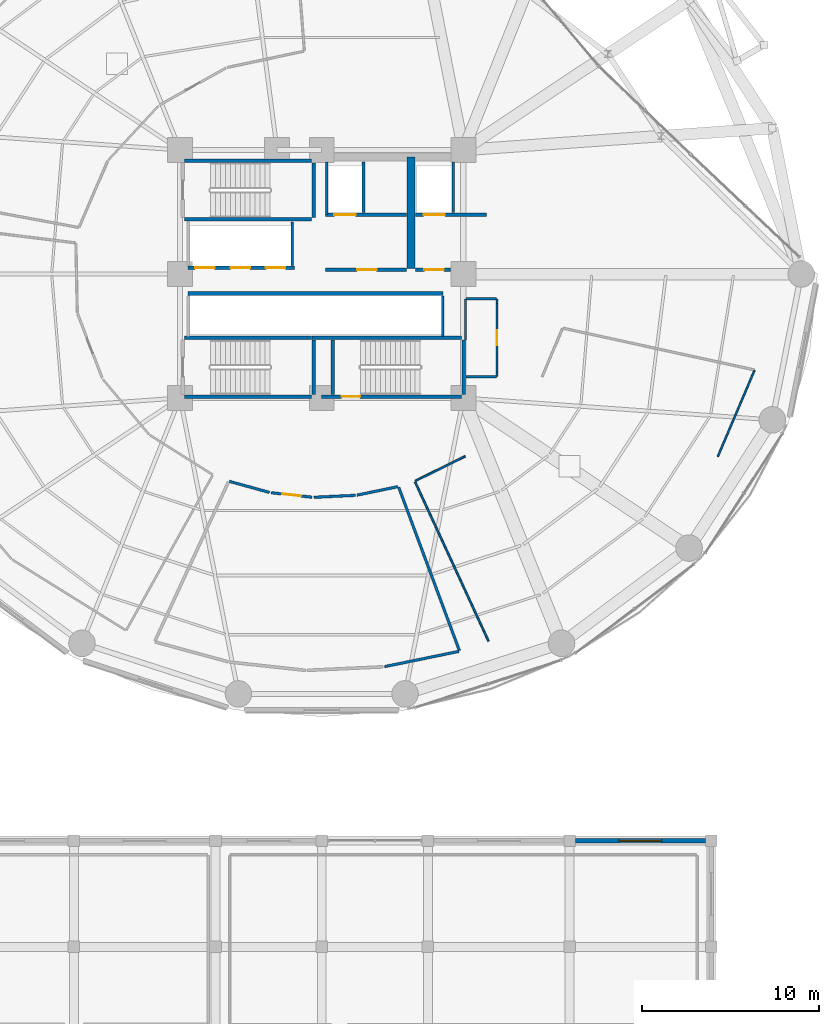
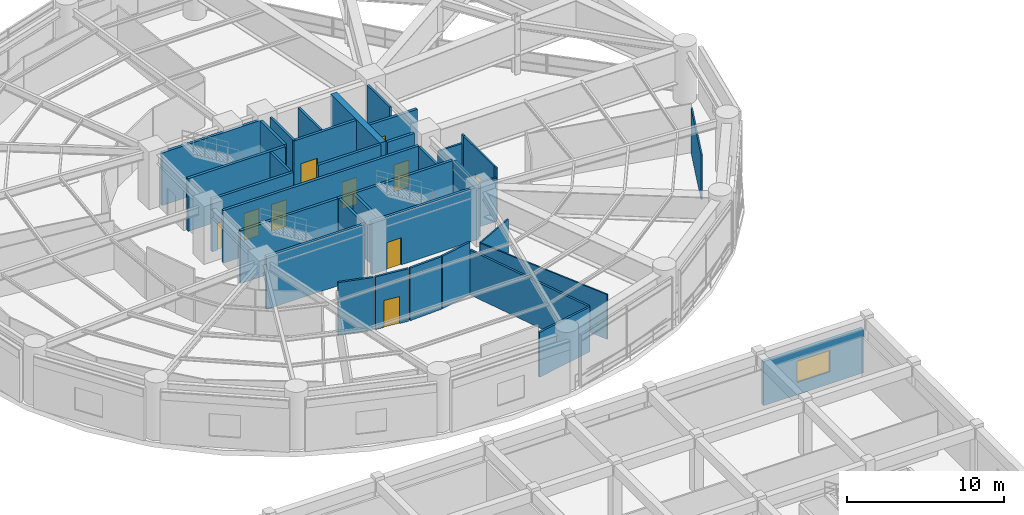
# One storey, part 42 of 52: 38 walls, 10 doors, 1 window, 11 openings.
"""IFC4 building model written with IfcOpenShell, lengths in metres."""

from ifc_helpers import new_model, si_unit, direction, frame, frame_2d, origin, place, context, subcontext, project, spatial, rectangle, extrude, material, layer, layer_set, type_object, element, fill, save


model = new_model("IFC4")

# Units and contexts
model_context = context("Model", 3, precision=1e-05, world=origin(), true_north=direction((0.0, 1.0)))
body_context = subcontext(model_context, "Body", "Model", "MODEL_VIEW")
ifc_project = project(units=[si_unit("LENGTHUNIT", "METRE"), si_unit("AREAUNIT", "SQUARE_METRE"), si_unit("VOLUMEUNIT", "CUBIC_METRE"), si_unit("PLANEANGLEUNIT", "RADIAN"), si_unit("MASSUNIT", "GRAM", prefix="KILO")], contexts=[model_context])

# Site, building, storey
site_placement = place(None, origin())
site = spatial("IfcSite", under=ifc_project, at=site_placement, CompositionType="ELEMENT")
building_placement = place(site_placement, origin())
building = spatial("IfcBuilding", under=site, at=building_placement, Name="Kelanora Arch Commons", CompositionType="ELEMENT")
storey_placement = place(building_placement, frame((0.0, 0.0, 13.5)))
storey = spatial("IfcBuildingStorey", under=building, at=storey_placement, Name="L03", CompositionType="ELEMENT", Elevation=13.5)

# Walls
ifc_material_1 = material(Name="Autoclaved aerated concrete blockwork with fire plaster", Category="masonry")
ifc_layer_1 = layer(ifc_material_1, 0.14990234375)
ifc_layer_set_1 = layer_set([ifc_layer_1], Name="Autoclaved aerated concrete blockwork with fire plaster")
wall_type_1 = type_object("IfcWallType", Name="W-COMP-150", PredefinedType="PARTITIONING", material=ifc_layer_set_1)
wall_1_placement = place(storey_placement, frame((74.280029296875, 61.35009765625, 0.0), z_axis=(0.0, 0.0, 1.0), x_axis=(0.0, 1.0, 0.0)))
element("IfcWall", 1, at=wall_1_placement, inside=storey, type_object=wall_type_1, Name="Firefighting Lift 1 West Shaft Wall L03", PredefinedType="PARTITIONING", context=body_context, shape_type="SweptSolid", body=[
    extrude(rectangle(XDim=2.969970703125, YDim=0.14990234375, at=frame_2d((1.48486328125, 0.0))), origin(), (0.0, 0.0, 1.0), 4.090087890625),
])
for number, where, z_axis, x_axis, name in (
    (2, (76.360107421875, 61.47998046875, 0.0), (0.0, 0.0, 1.0), (0.0, 1.0, 0.0), "Firefighting Lift 1 East Shaft Wall L03"),
    (3, (81.419921875, 61.47998046875, 0.0), (0.0, 0.0, 1.0), (0.0, 1.0, 0.0), "Firefighting Lift 2 East Shaft Wall L03"),
):
    element("IfcWall", number, at=place(storey_placement, frame(where, z_axis=z_axis, x_axis=x_axis)), inside=storey, type_object=wall_type_1, Name=name, PredefinedType="PARTITIONING", context=body_context, shape_type="SweptSolid", body=[
        extrude(rectangle(XDim=2.840087890625, YDim=0.14990234375, at=frame_2d((1.419921875, 0.0))), origin(), (0.0, 0.0, 1.0), 4.090087890625),
    ])
wall_2_placement = place(storey_placement, frame((72.340087890625, 58.47998046875, 0.0), z_axis=(0.0, 0.0, 1.0), x_axis=(0.0, 1.0, 0.0)))
element("IfcWall", 4, at=wall_2_placement, inside=storey, type_object=wall_type_1, Name="Low-Rise Lift Bank East Wall L03", PredefinedType="PARTITIONING", context=body_context, shape_type="SweptSolid", body=[
    extrude(rectangle(XDim=2.4599609375, YDim=0.14990234375, at=frame_2d((1.22998046875, 0.0))), origin(), (0.0, 0.0, 1.0), 4.090087890625),
])
wall_3_placement = place(storey_placement, frame((80.840087890625, 54.47998046875, 0.0), z_axis=(0.0, 0.0, 1.0), x_axis=(0.0, 1.0, 0.0)))
element("IfcWall", 5, at=wall_3_placement, inside=storey, type_object=wall_type_1, Name="South Lift Bank East Wall L03", PredefinedType="PARTITIONING", context=body_context, shape_type="SweptSolid", body=[
    extrude(rectangle(XDim=2.2900390625, YDim=0.14990234375, at=frame_2d((1.14501953125, 0.0))), origin(), (0.0, 0.0, 1.0), 4.090087890625),
])

# Wall, opening, door
wall_4_placement = place(storey_placement, frame((71.14453125, 45.6494140625, 0.0), z_axis=(0.0, 0.0, 1.0), x_axis=(0.993951535734, -0.109819600308, 0.0)))
wall_4 = element("IfcWall", 6, at=wall_4_placement, inside=storey, type_object=wall_type_1, Name="Podium Catering Cold Store and Linen Room L03 Entry Partition", PredefinedType="PARTITIONING", context=body_context, shape_type="SweptSolid", body=[
    extrude(rectangle(XDim=2.32080078125, YDim=0.14990234375, at=frame_2d((1.160400390625, 0.0))), origin(), (0.0, 0.0, 1.0), 4.090087890625),
])
opening_1_placement = place(wall_4_placement, frame((0.6201171875, 0.0, 0.0)))
opening_1 = element("IfcOpeningElement", 7, at=opening_1_placement, cuts=wall_4, Name="Opening D-PLT1", PredefinedType="OPENING", context=body_context, shape_type="SweptSolid", body=[
    extrude(rectangle(XDim=1.080078125, YDim=2.10009765625, at=frame_2d((0.5400390625, 1.050048828125))), frame((0.0, 0.0849609375, 0.0), z_axis=(0.0, -1.0, 0.0), x_axis=(1.0, 0.0, 0.0)), (0.0, 0.0, 1.0), 0.169921875),
])
ifc_material_2 = material(Name="Galvanised steel plant and riser fire door", Category="steel")
door_type_1 = type_object("IfcDoorType", Name="D-PLT-110", OperationType="NOTDEFINED", PredefinedType="DOOR", material=ifc_material_2)
door_1_placement = place(opening_1_placement, origin())
door_1 = element("IfcDoor", 8, at=door_1_placement, inside=storey, type_object=door_type_1, Name="Podium Catering Cold Store and Linen Room L03 Door", OperationType="SINGLE_SWING_RIGHT", OverallHeight=2.10009765625, OverallWidth=1.080078125, PredefinedType="DOOR", context=body_context, shape_type="SweptSolid", body=[
    extrude(rectangle(XDim=1.080078125, YDim=2.10009765625, at=frame_2d((0.5400390625, 1.050048828125))), frame((0.0, 0.02490234375, 0.0), z_axis=(0.0, -1.0, 0.0), x_axis=(1.0, 0.0, 0.0)), (0.0, 0.0, 1.0), 0.050048828125),
])
fill(opening_1, door_1)

# Walls
wall_5_placement = place(storey_placement, frame((68.78662109375, 46.288330078125, 0.0), z_axis=(0.0, 0.0, 1.0), x_axis=(0.964162769641, -0.265311427644, 0.0)))
element("IfcWall", 9, at=wall_5_placement, inside=storey, type_object=wall_type_1, Name="Podium Catering Cold Store and Linen Room L03 Enclosure Partition 1", PredefinedType="PARTITIONING", context=body_context, shape_type="SweptSolid", body=[
    extrude(rectangle(XDim=2.34375, YDim=0.14990234375, at=frame_2d((1.171875, 0.0))), origin(), (0.0, 0.0, 1.0), 4.090087890625),
])
wall_6_placement = place(storey_placement, frame((73.551025390625, 45.389892578125, 0.0), z_axis=(0.0, 0.0, 1.0), x_axis=(0.998889082162, 0.047123258997, 0.0)))
element("IfcWall", 10, at=wall_6_placement, inside=storey, type_object=wall_type_1, Name="Podium Catering Cold Store and Linen Room L03 Enclosure Partition 3", PredefinedType="PARTITIONING", context=body_context, shape_type="SweptSolid", body=[
    extrude(rectangle(XDim=2.362548828125, YDim=0.14990234375, at=frame_2d((1.18115234375, 0.0))), origin(), (0.0, 0.0, 1.0), 4.090087890625),
])
wall_7_placement = place(storey_placement, frame((75.990234375, 45.510986328125, 0.0), z_axis=(0.0, 0.0, 1.0), x_axis=(0.979038244843, 0.203676496276, 0.0)))
element("IfcWall", 11, at=wall_7_placement, inside=storey, type_object=wall_type_1, Name="Podium Catering Cold Store and Linen Room L03 Enclosure Partition 4", PredefinedType="PARTITIONING", context=body_context, shape_type="SweptSolid", body=[
    extrude(rectangle(XDim=2.351806640625, YDim=0.14990234375, at=frame_2d((1.17578125, 0.0))), origin(), (0.0, 0.0, 1.0), 4.090087890625),
])
wall_8_placement = place(storey_placement, frame((78.345947265625, 45.96044921875, 0.0), z_axis=(0.0, 0.0, 1.0), x_axis=(0.34819151165, -0.93742342152, 0.0)))
element("IfcWall", 12, at=wall_8_placement, inside=storey, type_object=wall_type_1, Name="Podium Catering Cold Store and Linen Room L03 Enclosure Partition 5", PredefinedType="PARTITIONING", context=body_context, shape_type="SweptSolid", body=[
    extrude(rectangle(XDim=9.843017578125, YDim=0.14990234375, at=frame_2d((4.92138671875, 0.0))), origin(), (0.0, 0.0, 1.0), 3.485107421875),
])
wall_9_placement = place(storey_placement, frame((81.747802734375, 36.68798828125, 0.0), z_axis=(0.0, 0.0, 1.0), x_axis=(-0.979594368282, -0.200984759698, 0.0)))
element("IfcWall", 13, at=wall_9_placement, inside=storey, type_object=wall_type_1, Name="Podium Catering Cold Store and Linen Room L03 Enclosure Partition 6", PredefinedType="PARTITIONING", context=body_context, shape_type="SweptSolid", body=[
    extrude(rectangle(XDim=4.2890625, YDim=0.14990234375, at=frame_2d((2.14453125, 0.0))), origin(), (0.0, 0.0, 1.0), 3.485107421875),
])
ifc_material_3 = material(Name="Concrete C60/75", Category="concrete")
ifc_layer_2 = layer(ifc_material_3, 0.449951171875)
ifc_layer_set_2 = layer_set([ifc_layer_2], Name="Concrete C60/75")
wall_type_2 = type_object("IfcWallType", Name="W-CORE-450", PredefinedType="SHEAR", material=ifc_layer_set_2)
wall_10_placement = place(storey_placement, frame((79.050048828125, 58.300048828125, 0.0), z_axis=(0.0, 0.0, 1.0), x_axis=(0.0, 1.0, 0.0)))
element("IfcWall", 14, at=wall_10_placement, inside=storey, type_object=wall_type_2, Name="Core Shear Spine L03-CE-N", PredefinedType="SHEAR", context=body_context, shape_type="SweptSolid", body=[
    extrude(rectangle(XDim=6.300048828125, YDim=0.449951171875, at=frame_2d((3.14990234375, 0.0))), origin(), (0.0, 0.0, 1.0), 4.10009765625),
])

# Wall, opening, window
ifc_material_4 = material(Name="Precast concrete C40/50 with terracotta ceramic cladding", Category="masonry")
ifc_layer_3 = layer(ifc_material_4, 0.25)
ifc_layer_set_3 = layer_set([ifc_layer_3], Name="Precast concrete C40/50 with terracotta ceramic cladding")
wall_type_3 = type_object("IfcWallType", Name="W-EXT-MKT", PredefinedType="SOLIDWALL", material=ifc_layer_set_3)
wall_11_placement = place(storey_placement, frame((95.669921875, 26.0, 0.0), z_axis=(0.0, 0.0, 1.0), x_axis=(-1.0, 0.0, 0.0)))
wall_11 = element("IfcWall", 15, at=wall_11_placement, inside=storey, type_object=wall_type_3, Name="Market Hall Exterior Wall L03-15", PredefinedType="SOLIDWALL", context=body_context, shape_type="SweptSolid", body=[
    extrude(rectangle(XDim=7.33984375, YDim=0.25, at=frame_2d((3.669921875, 0.0))), origin(), (0.0, 0.0, 1.0), 3.419921875),
])
opening_2_placement = place(wall_11_placement, frame((2.469970703125, 0.0, 0.949951171875)))
opening_2 = element("IfcOpeningElement", 16, at=opening_2_placement, cuts=wall_11, Name="Opening WN-03", PredefinedType="OPENING", context=body_context, shape_type="SweptSolid", body=[
    extrude(rectangle(XDim=2.39990234375, YDim=1.64990234375, at=frame_2d((1.199951171875, 0.824951171875))), frame((0.0, 0.135009765625, 0.0), z_axis=(0.0, -1.0, 0.0), x_axis=(1.0, 0.0, 0.0)), (0.0, 0.0, 1.0), 0.27001953125),
])
ifc_material_5 = material(Name="Bronze-terracotta aluminium monsoon clerestory window", Category="masonry")
window_type = type_object("IfcWindowType", Name="WIN-MKT-24", PartitioningType="TRIPLE_PANEL_VERTICAL", PredefinedType="WINDOW", material=ifc_material_5)
window_placement = place(opening_2_placement, origin())
window = element("IfcWindow", 17, at=window_placement, inside=storey, type_object=window_type, Name="Market Hall Clerestory Window L03-15", OverallHeight=1.64990234375, OverallWidth=2.39990234375, PartitioningType="SINGLE_PANEL", PredefinedType="WINDOW", context=body_context, shape_type="SweptSolid", body=[
    extrude(rectangle(XDim=2.39990234375, YDim=1.64990234375, at=frame_2d((1.199951171875, 0.824951171875))), frame((0.0, 0.030029296875, 0.0), z_axis=(0.0, -1.0, 0.0), x_axis=(1.0, 0.0, 0.0)), (0.0, 0.0, 1.0), 0.06005859375),
])
fill(opening_2, window)

# Wall, opening, door
ifc_material_6 = material(Name="Concrete C40/50", Category="concrete")
ifc_layer_4 = layer(ifc_material_6, 0.199951171875)
ifc_layer_set_4 = layer_set([ifc_layer_4], Name="Concrete C40/50")
wall_type_4 = type_object("IfcWallType", Name="W-FFL-200", PredefinedType="SOLIDWALL", material=ifc_layer_set_4)
wall_12_placement = place(storey_placement, frame((74.199951171875, 61.35009765625, 0.0), z_axis=(0.0, 0.0, 1.0), x_axis=(1.0, 0.0, 0.0)))
wall_12 = element("IfcWall", 18, at=wall_12_placement, inside=storey, type_object=wall_type_4, Name="Firefighting Lift 1 Shaft Front L03", PredefinedType="SOLIDWALL", context=body_context, shape_type="SweptSolid", body=[
    extrude(rectangle(XDim=4.60009765625, YDim=0.199951171875, at=frame_2d((2.300048828125, 0.0))), origin(), (0.0, 0.0, 1.0), 4.090087890625),
])
opening_3_placement = place(wall_12_placement, frame((0.52001953125, 0.0, 0.0)))
opening_3 = element("IfcOpeningElement", 19, at=opening_3_placement, cuts=wall_12, Name="Opening LD-FF", PredefinedType="OPENING", context=body_context, shape_type="SweptSolid", body=[
    extrude(rectangle(XDim=1.199951171875, YDim=2.14990234375, at=frame_2d((0.60009765625, 1.074951171875))), frame((0.0, 0.10986328125, 0.0), z_axis=(0.0, -1.0, 0.0), x_axis=(1.0, 0.0, 0.0)), (0.0, 0.0, 1.0), 0.219970703125),
])
ifc_material_7 = material(Name="Fire-rated firefighters lift sliding landing door")
door_type_2 = type_object("IfcDoorType", Name="D-LIFT-FF", OperationType="NOTDEFINED", PredefinedType="DOOR", material=ifc_material_7)
door_2_placement = place(opening_3_placement, origin())
door_2 = element("IfcDoor", 20, at=door_2_placement, inside=storey, type_object=door_type_2, Name="Firefighting Lift LF-FF1 Landing Door L03", OperationType="DOUBLE_DOOR_SLIDING", OverallHeight=2.14990234375, OverallWidth=1.199951171875, PredefinedType="DOOR", context=body_context, shape_type="SweptSolid", body=[
    extrude(rectangle(XDim=1.199951171875, YDim=2.14990234375, at=frame_2d((0.60009765625, 1.074951171875))), frame((0.0, 0.02490234375, 0.0), z_axis=(0.0, -1.0, 0.0), x_axis=(1.0, 0.0, 0.0)), (0.0, 0.0, 1.0), 0.050048828125),
])
fill(opening_3, door_2)

wall_13_placement = place(storey_placement, frame((79.300048828125, 61.35009765625, 0.0), z_axis=(0.0, 0.0, 1.0), x_axis=(1.0, 0.0, 0.0)))
wall_13 = element("IfcWall", 21, at=wall_13_placement, inside=storey, type_object=wall_type_4, Name="Firefighting Lift 2 Shaft Front L03", PredefinedType="SOLIDWALL", context=body_context, shape_type="SweptSolid", body=[
    extrude(rectangle(XDim=4.0, YDim=0.199951171875, at=frame_2d((2.0, 0.0))), origin(), (0.0, 0.0, 1.0), 3.385009765625),
])
opening_4_placement = place(wall_13_placement, frame((0.449951171875, 0.0, 0.0)))
opening_4 = element("IfcOpeningElement", 22, at=opening_4_placement, cuts=wall_13, Name="Opening LD-FF", PredefinedType="OPENING", context=body_context, shape_type="SweptSolid", body=[
    extrude(rectangle(XDim=1.199951171875, YDim=2.14990234375, at=frame_2d((0.60009765625, 1.074951171875))), frame((0.0, 0.10986328125, 0.0), z_axis=(0.0, -1.0, 0.0), x_axis=(1.0, 0.0, 0.0)), (0.0, 0.0, 1.0), 0.219970703125),
])
door_3_placement = place(opening_4_placement, origin())
door_3 = element("IfcDoor", 23, at=door_3_placement, inside=storey, type_object=door_type_2, Name="Firefighting Lift LF-FF2 Landing Door L03", OperationType="DOUBLE_DOOR_SLIDING", OverallHeight=2.14990234375, OverallWidth=1.199951171875, PredefinedType="DOOR", context=body_context, shape_type="SweptSolid", body=[
    extrude(rectangle(XDim=1.199951171875, YDim=2.14990234375, at=frame_2d((0.60009765625, 1.074951171875))), frame((0.0, 0.02490234375, 0.0), z_axis=(0.0, -1.0, 0.0), x_axis=(1.0, 0.0, 0.0)), (0.0, 0.0, 1.0), 0.050048828125),
])
fill(opening_4, door_3)

wall_14_placement = place(storey_placement, frame((74.199951171875, 58.25, 0.0), z_axis=(0.0, 0.0, 1.0), x_axis=(1.0, 0.0, 0.0)))
wall_14 = element("IfcWall", 24, at=wall_14_placement, inside=storey, type_object=wall_type_4, Name="Firefighting Lobby 1 Enclosure Wall L03", PredefinedType="SOLIDWALL", context=body_context, shape_type="SweptSolid", body=[
    extrude(rectangle(XDim=4.60009765625, YDim=0.199951171875, at=frame_2d((2.300048828125, 0.0))), origin(), (0.0, 0.0, 1.0), 4.090087890625),
])
opening_5_placement = place(wall_14_placement, frame((1.800048828125, 0.0, 0.0)))
opening_5 = element("IfcOpeningElement", 25, at=opening_5_placement, cuts=wall_14, Name="Opening D-FFL1", PredefinedType="OPENING", context=body_context, shape_type="SweptSolid", body=[
    extrude(rectangle(XDim=1.10009765625, YDim=2.10009765625, at=frame_2d((0.550048828125, 1.050048828125))), frame((0.0, 0.10986328125, 0.0), z_axis=(0.0, -1.0, 0.0), x_axis=(1.0, 0.0, 0.0)), (0.0, 0.0, 1.0), 0.219970703125),
])
ifc_material_8 = material(Name="Smoke-sealed firefighting lobby fire door")
door_type_3 = type_object("IfcDoorType", Name="D-FFL-110", OperationType="NOTDEFINED", PredefinedType="DOOR", material=ifc_material_8)
door_4_placement = place(opening_5_placement, frame((1.10009765625, 0.0, 0.0), z_axis=(0.0, 0.0, 1.0), x_axis=(-1.0, 0.0, 0.0)))
door_4 = element("IfcDoor", 26, at=door_4_placement, inside=storey, type_object=door_type_3, Name="Firefighting Lobby 1 Door L03", OperationType="SINGLE_SWING_LEFT", OverallHeight=2.10009765625, OverallWidth=1.10009765625, PredefinedType="DOOR", context=body_context, shape_type="SweptSolid", body=[
    extrude(rectangle(XDim=1.10009765625, YDim=2.10009765625, at=frame_2d((0.550048828125, 1.050048828125))), frame((0.0, 0.02490234375, 0.0), z_axis=(0.0, -1.0, 0.0), x_axis=(1.0, 0.0, 0.0)), (0.0, 0.0, 1.0), 0.050048828125),
])
fill(opening_5, door_4)

wall_15_placement = place(storey_placement, frame((79.300048828125, 58.25, 0.0), z_axis=(0.0, 0.0, 1.0), x_axis=(1.0, 0.0, 0.0)))
wall_15 = element("IfcWall", 27, at=wall_15_placement, inside=storey, type_object=wall_type_4, Name="Firefighting Lobby 2 Enclosure Wall L03", PredefinedType="SOLIDWALL", context=body_context, shape_type="SweptSolid", body=[
    extrude(rectangle(XDim=1.97998046875, YDim=0.199951171875, at=frame_2d((0.989990234375, 0.0))), origin(), (0.0, 0.0, 1.0), 4.090087890625),
])
opening_6_placement = place(wall_15_placement, frame((0.5, 0.0, 0.0)))
opening_6 = element("IfcOpeningElement", 28, at=opening_6_placement, cuts=wall_15, Name="Opening D-FFL1", PredefinedType="OPENING", context=body_context, shape_type="SweptSolid", body=[
    extrude(rectangle(XDim=1.10009765625, YDim=2.10009765625, at=frame_2d((0.550048828125, 1.050048828125))), frame((0.0, 0.10986328125, 0.0), z_axis=(0.0, -1.0, 0.0), x_axis=(1.0, 0.0, 0.0)), (0.0, 0.0, 1.0), 0.219970703125),
])
door_5_placement = place(opening_6_placement, frame((1.10009765625, 0.0, 0.0), z_axis=(0.0, 0.0, 1.0), x_axis=(-1.0, 0.0, 0.0)))
door_5 = element("IfcDoor", 29, at=door_5_placement, inside=storey, type_object=door_type_3, Name="Firefighting Lobby 2 Door L03", OperationType="SINGLE_SWING_RIGHT", OverallHeight=2.10009765625, OverallWidth=1.10009765625, PredefinedType="DOOR", context=body_context, shape_type="SweptSolid", body=[
    extrude(rectangle(XDim=1.10009765625, YDim=2.10009765625, at=frame_2d((0.550048828125, 1.050048828125))), frame((0.0, 0.02490234375, 0.0), z_axis=(0.0, -1.0, 0.0), x_axis=(1.0, 0.0, 0.0)), (0.0, 0.0, 1.0), 0.050048828125),
])
fill(opening_6, door_5)

# Wall, openings, doors
wall_16_placement = place(storey_placement, frame((66.449951171875, 58.35009765625, 0.0), z_axis=(0.0, 0.0, 1.0), x_axis=(1.0, 0.0, 0.0)))
wall_16 = element("IfcWall", 30, at=wall_16_placement, inside=storey, type_object=wall_type_4, Name="Low-Rise Passenger Lift Shaft Front L03", PredefinedType="SOLIDWALL", context=body_context, shape_type="SweptSolid", body=[
    extrude(rectangle(XDim=6.0, YDim=0.199951171875, at=frame_2d((3.0, 0.0))), origin(), (0.0, 0.0, 1.0), 4.090087890625),
])
opening_7_placement = place(wall_16_placement, frame((0.39990234375, 0.0, 0.0)))
opening_7 = element("IfcOpeningElement", 31, at=opening_7_placement, cuts=wall_16, Name="Opening LD-01", PredefinedType="OPENING", context=body_context, shape_type="SweptSolid", body=[
    extrude(rectangle(XDim=1.10009765625, YDim=2.10009765625, at=frame_2d((0.550048828125, 1.050048828125))), frame((0.0, 0.10986328125, 0.0), z_axis=(0.0, -1.0, 0.0), x_axis=(1.0, 0.0, 0.0)), (0.0, 0.0, 1.0), 0.219970703125),
])
opening_8_placement = place(wall_16_placement, frame((2.39990234375, 0.0, 0.0)))
opening_8 = element("IfcOpeningElement", 32, at=opening_8_placement, cuts=wall_16, Name="Opening LD-01", PredefinedType="OPENING", context=body_context, shape_type="SweptSolid", body=[
    extrude(rectangle(XDim=1.10009765625, YDim=2.10009765625, at=frame_2d((0.550048828125, 1.050048828125))), frame((0.0, 0.10986328125, 0.0), z_axis=(0.0, -1.0, 0.0), x_axis=(1.0, 0.0, 0.0)), (0.0, 0.0, 1.0), 0.219970703125),
])
opening_9_placement = place(wall_16_placement, frame((4.39990234375, 0.0, 0.0)))
opening_9 = element("IfcOpeningElement", 33, at=opening_9_placement, cuts=wall_16, Name="Opening LD-01", PredefinedType="OPENING", context=body_context, shape_type="SweptSolid", body=[
    extrude(rectangle(XDim=1.10009765625, YDim=2.10009765625, at=frame_2d((0.550048828125, 1.050048828125))), frame((0.0, 0.10986328125, 0.0), z_axis=(0.0, -1.0, 0.0), x_axis=(1.0, 0.0, 0.0)), (0.0, 0.0, 1.0), 0.219970703125),
])
ifc_material_9 = material(Name="Stainless steel passenger lift sliding landing door", Category="steel")
door_type_4 = type_object("IfcDoorType", Name="D-LIFT-110", OperationType="NOTDEFINED", PredefinedType="DOOR", material=ifc_material_9)
door_6_placement = place(opening_7_placement, origin())
door_6 = element("IfcDoor", 34, at=door_6_placement, inside=storey, type_object=door_type_4, Name="Passenger Lift LF-P1 Landing Door L03", OperationType="DOUBLE_DOOR_SLIDING", OverallHeight=2.10009765625, OverallWidth=1.10009765625, PredefinedType="DOOR", context=body_context, shape_type="SweptSolid", body=[
    extrude(rectangle(XDim=1.10009765625, YDim=2.10009765625, at=frame_2d((0.550048828125, 1.050048828125))), frame((0.0, 0.02490234375, 0.0), z_axis=(0.0, -1.0, 0.0), x_axis=(1.0, 0.0, 0.0)), (0.0, 0.0, 1.0), 0.050048828125),
])
fill(opening_7, door_6)
door_7_placement = place(opening_8_placement, origin())
door_7 = element("IfcDoor", 35, at=door_7_placement, inside=storey, type_object=door_type_4, Name="Passenger Lift LF-P2 Landing Door L03", OperationType="DOUBLE_DOOR_SLIDING", OverallHeight=2.10009765625, OverallWidth=1.10009765625, PredefinedType="DOOR", context=body_context, shape_type="SweptSolid", body=[
    extrude(rectangle(XDim=1.10009765625, YDim=2.10009765625, at=frame_2d((0.550048828125, 1.050048828125))), frame((0.0, 0.02490234375, 0.0), z_axis=(0.0, -1.0, 0.0), x_axis=(1.0, 0.0, 0.0)), (0.0, 0.0, 1.0), 0.050048828125),
])
fill(opening_8, door_7)
door_8_placement = place(opening_9_placement, origin())
door_8 = element("IfcDoor", 36, at=door_8_placement, inside=storey, type_object=door_type_4, Name="Passenger Lift LF-P3 Landing Door L03", OperationType="DOUBLE_DOOR_SLIDING", OverallHeight=2.10009765625, OverallWidth=1.10009765625, PredefinedType="DOOR", context=body_context, shape_type="SweptSolid", body=[
    extrude(rectangle(XDim=1.10009765625, YDim=2.10009765625, at=frame_2d((0.550048828125, 1.050048828125))), frame((0.0, 0.02490234375, 0.0), z_axis=(0.0, -1.0, 0.0), x_axis=(1.0, 0.0, 0.0)), (0.0, 0.0, 1.0), 0.050048828125),
])
fill(opening_9, door_8)

# Walls
wall_17_placement = place(storey_placement, frame((66.449951171875, 56.89990234375, 0.0), z_axis=(0.0, 0.0, 1.0), x_axis=(1.0, 0.0, 0.0)))
element("IfcWall", 37, at=wall_17_placement, inside=storey, type_object=wall_type_4, Name="Mid/High/Express Lift Shaft Front L03", PredefinedType="SOLIDWALL", context=body_context, shape_type="SweptSolid", body=[
    extrude(rectangle(XDim=14.400146484375, YDim=0.199951171875, at=frame_2d((7.2001953125, 0.0))), origin(), (0.0, 0.0, 1.0), 4.090087890625),
])
ifc_material_10 = material(Name="Lightweight fire-rated acoustic stud partition")
ifc_layer_5 = layer(ifc_material_10, 0.10009765625)
ifc_layer_set_5 = layer_set([ifc_layer_5], Name="Lightweight fire-rated acoustic stud partition")
wall_type_5 = type_object("IfcWallType", Name="W-PART-100", PredefinedType="PARTITIONING", material=ifc_layer_set_5)
wall_18_placement = place(storey_placement, frame((79.287841796875, 46.316650390625, 0.0), z_axis=(0.0, 0.0, 1.0), x_axis=(0.896576809432, 0.44288827574, 0.0)))
element("IfcWall", 38, at=wall_18_placement, inside=storey, type_object=wall_type_5, Name="Quiet Library Reading Gallery L03-D Enclosure Partition 1", PredefinedType="PARTITIONING", context=body_context, shape_type="SweptSolid", body=[
    extrude(rectangle(XDim=3.14208984375, YDim=0.10009765625, at=frame_2d((1.571044921875, 0.0))), origin(), (0.0, 0.0, 1.0), 3.485107421875),
])
wall_19_placement = place(storey_placement, frame((98.435302734375, 52.544189453125, 0.0), z_axis=(0.0, 0.0, 1.0), x_axis=(-0.391984730247, -0.919971723073, 0.0)))
element("IfcWall", 39, at=wall_19_placement, inside=storey, type_object=wall_type_5, Name="Quiet Library Reading Gallery L03-D Enclosure Partition 6", PredefinedType="PARTITIONING", context=body_context, shape_type="SweptSolid", body=[
    extrude(rectangle(XDim=5.272216796875, YDim=0.10009765625, at=frame_2d((2.63623046875, 0.0))), origin(), (0.0, 0.0, 1.0), 3.485107421875),
])
wall_20_placement = place(storey_placement, frame((83.423095703125, 37.267333984375, 0.0), z_axis=(0.0, 0.0, 1.0), x_axis=(-0.419273795464, 0.90785983744, 0.0)))
element("IfcWall", 40, at=wall_20_placement, inside=storey, type_object=wall_type_5, Name="Quiet Library Reading Gallery L03-D Enclosure Partition 10", PredefinedType="PARTITIONING", context=body_context, shape_type="SweptSolid", body=[
    extrude(rectangle(XDim=9.908203125, YDim=0.10009765625, at=frame_2d((4.9541015625, 0.0))), origin(), (0.0, 0.0, 1.0), 3.485107421875),
])
ifc_layer_6 = layer(ifc_material_6, 0.199951171875)
ifc_layer_set_6 = layer_set([ifc_layer_6], Name="Concrete C40/50")
wall_type_6 = type_object("IfcWallType", Name="W-STAIR-200", PredefinedType="SHEAR", material=ifc_layer_set_6)
wall_21_placement = place(storey_placement, frame((66.260009765625, 61.080078125, 0.0), z_axis=(0.0, 0.0, 1.0), x_axis=(1.0, 0.0, 0.0)))
element("IfcWall", 41, at=wall_21_placement, inside=storey, type_object=wall_type_6, Name="Stair ST-T1 Shaft Wall S L03", PredefinedType="SHEAR", context=body_context, shape_type="SweptSolid", body=[
    extrude(rectangle(XDim=7.159912109375, YDim=0.199951171875, at=frame_2d((3.580078125, 0.0))), origin(), (0.0, 0.0, 1.0), 4.10009765625),
])
wall_22_placement = place(storey_placement, frame((73.5400390625, 61.199951171875, 0.0), z_axis=(0.0, 0.0, 1.0), x_axis=(0.0, 1.0, 0.0)))
element("IfcWall", 42, at=wall_22_placement, inside=storey, type_object=wall_type_6, Name="Stair ST-T1 Shaft Wall E L03", PredefinedType="SHEAR", context=body_context, shape_type="SweptSolid", body=[
    extrude(rectangle(XDim=3.070068359375, YDim=0.199951171875, at=frame_2d((1.53515625, 0.0))), origin(), (0.0, 0.0, 1.0), 4.10009765625),
])
wall_23_placement = place(storey_placement, frame((73.419921875, 64.389892578125, 0.0), z_axis=(0.0, 0.0, 1.0), x_axis=(-1.0, 0.0, 0.0)))
element("IfcWall", 43, at=wall_23_placement, inside=storey, type_object=wall_type_6, Name="Stair ST-T1 Shaft Wall N L03", PredefinedType="SHEAR", context=body_context, shape_type="SweptSolid", body=[
    extrude(rectangle(XDim=7.159912109375, YDim=0.199951171875, at=frame_2d((3.580078125, 0.0))), origin(), (0.0, 0.0, 1.0), 4.10009765625),
])

# Wall, opening, door
wall_24_placement = place(storey_placement, frame((74.0, 51.080078125, 0.0), z_axis=(0.0, 0.0, 1.0), x_axis=(1.0, 0.0, 0.0)))
wall_24 = element("IfcWall", 44, at=wall_24_placement, inside=storey, type_object=wall_type_6, Name="Stair ST-T2 Shaft Wall S L03", PredefinedType="SHEAR", context=body_context, shape_type="SweptSolid", body=[
    extrude(rectangle(XDim=7.89990234375, YDim=0.199951171875, at=frame_2d((3.949951171875, 0.0))), origin(), (0.0, 0.0, 1.0), 4.10009765625),
])
opening_10_placement = place(wall_24_placement, frame((1.1201171875, 0.0, 0.0)))
opening_10 = element("IfcOpeningElement", 45, at=opening_10_placement, cuts=wall_24, Name="Opening D-ST1", PredefinedType="OPENING", context=body_context, shape_type="SweptSolid", body=[
    extrude(rectangle(XDim=1.050048828125, YDim=2.10009765625, at=frame_2d((0.52490234375, 1.050048828125))), frame((0.0, 0.10986328125, 0.0), z_axis=(0.0, -1.0, 0.0), x_axis=(1.0, 0.0, 0.0)), (0.0, 0.0, 1.0), 0.219970703125),
])
ifc_material_11 = material(Name="Steel fire-rated stairwell escape door", Category="steel")
door_type_5 = type_object("IfcDoorType", Name="D-STAIR-110", OperationType="NOTDEFINED", PredefinedType="DOOR", material=ifc_material_11)
door_9_placement = place(opening_10_placement, origin())
door_9 = element("IfcDoor", 46, at=door_9_placement, inside=storey, type_object=door_type_5, Name="Stair ST-T2 Escape Door L03", OperationType="SINGLE_SWING_LEFT", OverallHeight=2.10009765625, OverallWidth=1.050048828125, PredefinedType="DOOR", context=body_context, shape_type="SweptSolid", body=[
    extrude(rectangle(XDim=1.050048828125, YDim=2.10009765625, at=frame_2d((0.52490234375, 1.050048828125))), frame((0.0, 0.02490234375, 0.0), z_axis=(0.0, -1.0, 0.0), x_axis=(1.0, 0.0, 0.0)), (0.0, 0.0, 1.0), 0.050048828125),
])
fill(opening_10, door_9)

# Walls
wall_25_placement = place(storey_placement, frame((82.02001953125, 51.199951171875, 0.0), z_axis=(0.0, 0.0, 1.0), x_axis=(0.0, 1.0, 0.0)))
element("IfcWall", 47, at=wall_25_placement, inside=storey, type_object=wall_type_6, Name="Stair ST-T2 Shaft Wall E L03", PredefinedType="SHEAR", context=body_context, shape_type="SweptSolid", body=[
    extrude(rectangle(XDim=3.070068359375, YDim=0.199951171875, at=frame_2d((1.53515625, 0.0))), origin(), (0.0, 0.0, 1.0), 4.10009765625),
])
wall_26_placement = place(storey_placement, frame((81.89990234375, 54.389892578125, 0.0), z_axis=(0.0, 0.0, 1.0), x_axis=(-1.0, 0.0, 0.0)))
element("IfcWall", 48, at=wall_26_placement, inside=storey, type_object=wall_type_6, Name="Stair ST-T2 Shaft Wall N L03", PredefinedType="SHEAR", context=body_context, shape_type="SweptSolid", body=[
    extrude(rectangle(XDim=8.4599609375, YDim=0.199951171875, at=frame_2d((4.22998046875, 0.0))), origin(), (0.0, 0.0, 1.0), 4.10009765625),
])
wall_27_placement = place(storey_placement, frame((74.6201171875, 54.27001953125, 0.0), z_axis=(0.0, 0.0, 1.0), x_axis=(0.0, -1.0, 0.0)))
element("IfcWall", 49, at=wall_27_placement, inside=storey, type_object=wall_type_6, Name="Stair ST-T2 Shaft Wall W L03", PredefinedType="SHEAR", context=body_context, shape_type="SweptSolid", body=[
    extrude(rectangle(XDim=3.070068359375, YDim=0.199951171875, at=frame_2d((1.53515625, 0.0))), origin(), (0.0, 0.0, 1.0), 4.10009765625),
])
wall_28_placement = place(storey_placement, frame((66.260009765625, 51.080078125, 0.0), z_axis=(0.0, 0.0, 1.0), x_axis=(1.0, 0.0, 0.0)))
element("IfcWall", 50, at=wall_28_placement, inside=storey, type_object=wall_type_6, Name="Stair ST-T3 Shaft Wall S L03", PredefinedType="SHEAR", context=body_context, shape_type="SweptSolid", body=[
    extrude(rectangle(XDim=7.159912109375, YDim=0.199951171875, at=frame_2d((3.580078125, 0.0))), origin(), (0.0, 0.0, 1.0), 4.10009765625),
])
wall_29_placement = place(storey_placement, frame((73.5400390625, 51.199951171875, 0.0), z_axis=(0.0, 0.0, 1.0), x_axis=(0.0, 1.0, 0.0)))
element("IfcWall", 51, at=wall_29_placement, inside=storey, type_object=wall_type_6, Name="Stair ST-T3 Shaft Wall E L03", PredefinedType="SHEAR", context=body_context, shape_type="SweptSolid", body=[
    extrude(rectangle(XDim=3.070068359375, YDim=0.199951171875, at=frame_2d((1.53515625, 0.0))), origin(), (0.0, 0.0, 1.0), 4.10009765625),
])
wall_30_placement = place(storey_placement, frame((73.419921875, 54.389892578125, 0.0), z_axis=(0.0, 0.0, 1.0), x_axis=(-1.0, 0.0, 0.0)))
element("IfcWall", 52, at=wall_30_placement, inside=storey, type_object=wall_type_6, Name="Stair ST-T3 Shaft Wall N L03", PredefinedType="SHEAR", context=body_context, shape_type="SweptSolid", body=[
    extrude(rectangle(XDim=7.159912109375, YDim=0.199951171875, at=frame_2d((3.580078125, 0.0))), origin(), (0.0, 0.0, 1.0), 4.10009765625),
])

# Wall, opening, door
ifc_material_12 = material(Name="Moisture-resistant fire-rated cement-board plumbing wall")
ifc_layer_7 = layer(ifc_material_12, 0.1298828125)
ifc_layer_set_7 = layer_set([ifc_layer_7], Name="Moisture-resistant fire-rated cement-board plumbing wall")
wall_type_7 = type_object("IfcWallType", Name="W-WET-120", PredefinedType="PLUMBINGWALL", material=ifc_layer_set_7)
wall_31_placement = place(storey_placement, frame((83.89990234375, 52.4599609375, 0.0), z_axis=(0.0, 0.0, 1.0), x_axis=(0.0, 1.0, 0.0)))
wall_31 = element("IfcWall", 53, at=wall_31_placement, inside=storey, type_object=wall_type_7, Name="Podium Accessible Toilets L03 Entry Partition", PredefinedType="PLUMBINGWALL", context=body_context, shape_type="SweptSolid", body=[
    extrude(rectangle(XDim=3.880126953125, YDim=0.1298828125, at=frame_2d((1.93994140625, 0.0))), origin(), (0.0, 0.0, 1.0), 4.090087890625),
])
opening_11_placement = place(wall_31_placement, frame((1.510009765625, 0.0, 0.0)))
opening_11 = element("IfcOpeningElement", 54, at=opening_11_placement, cuts=wall_31, Name="Opening D-BT1", PredefinedType="OPENING", context=body_context, shape_type="SweptSolid", body=[
    extrude(rectangle(XDim=0.860107421875, YDim=2.050048828125, at=frame_2d((0.43017578125, 1.02490234375))), frame((0.0, 0.074951171875, 0.0), z_axis=(0.0, -1.0, 0.0), x_axis=(1.0, 0.0, 0.0)), (0.0, 0.0, 1.0), 0.14990234375),
])
ifc_material_13 = material(Name="Moisture-sealed fire-rated accessible bathroom door")
door_type_6 = type_object("IfcDoorType", Name="D-BATH-85", OperationType="NOTDEFINED", PredefinedType="DOOR", material=ifc_material_13)
door_10_placement = place(opening_11_placement, origin())
door_10 = element("IfcDoor", 55, at=door_10_placement, inside=storey, type_object=door_type_6, Name="Podium Accessible Toilets L03 Door", OperationType="SINGLE_SWING_LEFT", OverallHeight=2.050048828125, OverallWidth=0.860107421875, PredefinedType="DOOR", context=body_context, shape_type="SweptSolid", body=[
    extrude(rectangle(XDim=0.860107421875, YDim=2.050048828125, at=frame_2d((0.43017578125, 1.02490234375))), frame((0.0, 0.02490234375, 0.0), z_axis=(0.0, -1.0, 0.0), x_axis=(1.0, 0.0, 0.0)), (0.0, 0.0, 1.0), 0.050048828125),
])
fill(opening_11, door_10)

# Walls
wall_32_placement = place(storey_placement, frame((82.139892578125, 52.199951171875, 0.0), z_axis=(0.0, 0.0, 1.0), x_axis=(1.0, 0.0, 0.0)))
element("IfcWall", 56, at=wall_32_placement, inside=storey, type_object=wall_type_7, Name="Podium Accessible Toilets L03 Enclosure Partition 1", PredefinedType="PLUMBINGWALL", context=body_context, shape_type="SweptSolid", body=[
    extrude(rectangle(XDim=1.739990234375, YDim=0.1298828125, at=frame_2d((0.8701171875, 0.0))), origin(), (0.0, 0.0, 1.0), 3.385009765625),
])
for number, where, z_axis, x_axis, name in (
    (57, (83.89990234375, 52.219970703125, 0.0), (0.0, 0.0, 1.0), (0.0, 1.0, 0.0), "Podium Accessible Toilets L03 Enclosure Partition 2"),
    (58, (83.89990234375, 56.340087890625, 0.0), (0.0, 0.0, 1.0), (0.0, 1.0, 0.0), "Podium Accessible Toilets L03 Enclosure Partition 2"),
):
    element("IfcWall", number, at=place(storey_placement, frame(where, z_axis=z_axis, x_axis=x_axis)), inside=storey, type_object=wall_type_7, Name=name, PredefinedType="PLUMBINGWALL", context=body_context, shape_type="SweptSolid", body=[
        extrude(rectangle(XDim=0.239990234375, YDim=0.1298828125, at=frame_2d((0.1201171875, 0.0))), origin(), (0.0, 0.0, 1.0), 4.090087890625),
    ])
wall_33_placement = place(storey_placement, frame((83.8798828125, 56.60009765625, 0.0), z_axis=(0.0, 0.0, 1.0), x_axis=(-1.0, 0.0, 0.0)))
element("IfcWall", 59, at=wall_33_placement, inside=storey, type_object=wall_type_7, Name="Podium Accessible Toilets L03 Enclosure Partition 3", PredefinedType="PLUMBINGWALL", context=body_context, shape_type="SweptSolid", body=[
    extrude(rectangle(XDim=1.739990234375, YDim=0.1298828125, at=frame_2d((0.8701171875, 0.0))), origin(), (0.0, 0.0, 1.0), 3.385009765625),
])
wall_34_placement = place(storey_placement, frame((82.1201171875, 56.580078125, 0.0), z_axis=(0.0, 0.0, 1.0), x_axis=(0.0, -1.0, 0.0)))
element("IfcWall", 60, at=wall_34_placement, inside=storey, type_object=wall_type_7, Name="Podium Accessible Toilets L03 Enclosure Partition 4", PredefinedType="PLUMBINGWALL", context=body_context, shape_type="SweptSolid", body=[
    extrude(rectangle(XDim=2.31005859375, YDim=0.1298828125, at=frame_2d((1.155029296875, 0.0))), origin(), (0.0, 0.0, 1.0), 3.385009765625),
])

save(model, "model.ifc")
